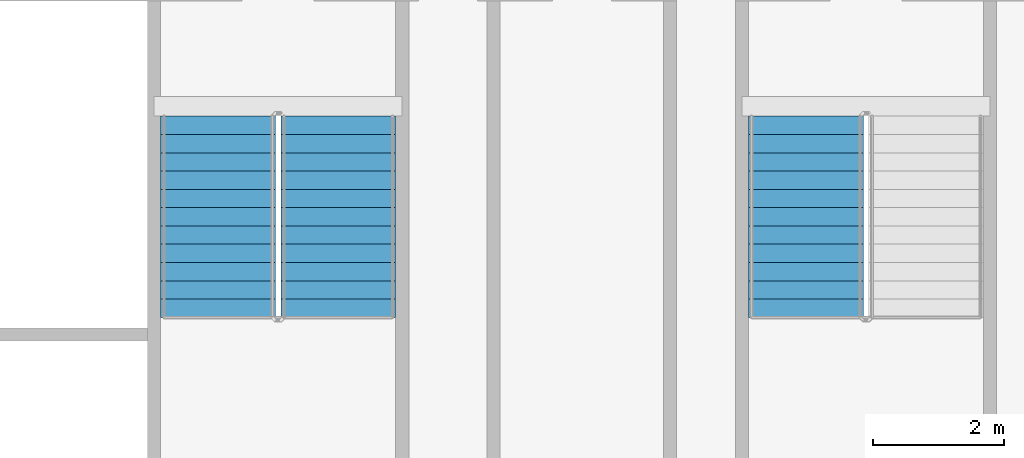
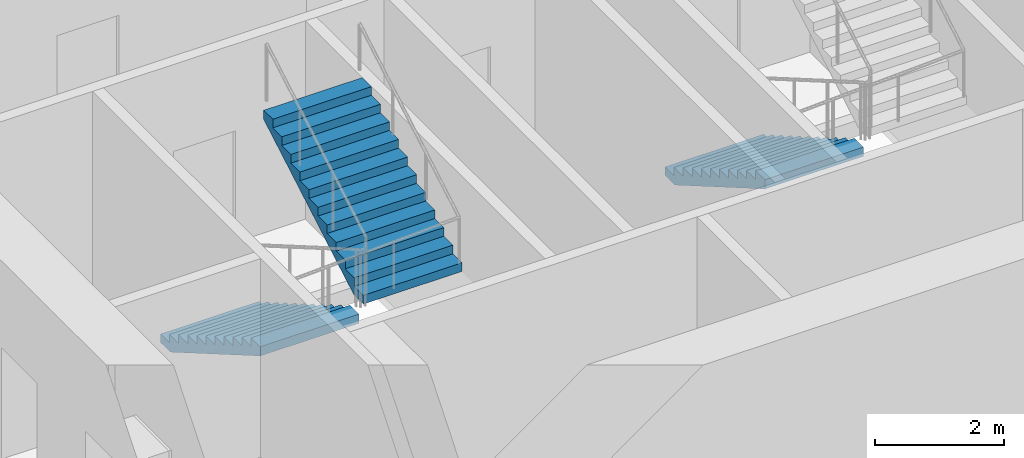
# One storey, part 14 of 21: 3 stair flights, 2 elements without a shape of their own.
"""IFC4 building model written with IfcOpenShell, lengths in metres."""

from ifc_helpers import new_model, si_unit, direction, frame, origin, place, context, subcontext, project, spatial, faceted_brep, material, type_object, element, aggregate, save


model = new_model("IFC4")

# Units and contexts
model_context = context("Model", 3, precision=1e-05, world=origin(), true_north=direction((0.0, 1.0)))
body_context = subcontext(model_context, "Body", "Model", "MODEL_VIEW")
ifc_project = project(units=[si_unit("LENGTHUNIT", "METRE"), si_unit("AREAUNIT", "SQUARE_METRE"), si_unit("VOLUMEUNIT", "CUBIC_METRE"), si_unit("PLANEANGLEUNIT", "RADIAN"), si_unit("MASSUNIT", "GRAM", prefix="KILO")], contexts=[model_context])

# Site, building, storey
site_placement = place(None, origin())
site = spatial("IfcSite", under=ifc_project, at=site_placement, CompositionType="ELEMENT")
building_placement = place(site_placement, origin())
building = spatial("IfcBuilding", under=site, at=building_placement, Name="Tarsis Ring Headquarters", CompositionType="ELEMENT")
storey_placement = place(building_placement, frame((0.0, 0.0, 47.800048828125)))
storey = spatial("IfcBuildingStorey", under=building, at=storey_placement, Name="L09", CompositionType="ELEMENT", Elevation=47.800048828125)

# Stair, stair flights
ifc_material_1 = material(Name="Core stair 1760")
stair_type = type_object("IfcStairType", Name="Core stair 1760", PredefinedType="HALF_TURN_STAIR", material=ifc_material_1)
stair_1_placement = place(storey_placement, origin())
stair_1 = element("IfcStair", 1, at=stair_1_placement, inside=storey, type_object=stair_type, Name="L09 Exit stair C", PredefinedType="HALF_TURN_STAIR")
ifc_material_2 = material(Name="Concrete C40/50", Category="concrete")
stair_flight_type = type_object("IfcStairFlightType", Name="Core stair flight 1760", PredefinedType="STRAIGHT", material=ifc_material_2)
stair_flight_1_placement = place(storey_placement, frame((-5.419921875, -3.659912109375, 0.0), z_axis=(0.0, 0.0, 1.0), x_axis=(0.0, -1.0, 0.0)))
stair_flight_1 = element("IfcStairFlight", 2, at=stair_flight_1_placement, type_object=stair_flight_type, Name="Stair ST3 flight 1", NumberOfRisers=12, NumberOfTreads=11, PredefinedType="STRAIGHT", RiserHeight=0.1625, TreadLength=0.28, context=body_context, shape_type="Brep", body=[
    faceted_brep([(0.0, 0.8798828125, 0.0), (0.0, 0.8798828125, 0.16259765625), (0.280029296875, 0.8798828125, 0.16259765625), (0.280029296875, 0.8798828125, 0.324951171875), (0.56005859375, 0.8798828125, 0.324951171875), (0.56005859375, 0.8798828125, 0.487548828125), (0.840087890625, 0.8798828125, 0.487548828125), (0.840087890625, 0.8798828125, 0.64990234375), (1.1201171875, 0.8798828125, 0.64990234375), (1.1201171875, 0.8798828125, 0.8125), (1.39990234375, 0.8798828125, 0.8125), (1.39990234375, 0.8798828125, 0.97509765625), (1.679931640625, 0.8798828125, 0.97509765625), (1.679931640625, 0.8798828125, 1.137451171875), (1.9599609375, 0.8798828125, 1.137451171875), (1.9599609375, 0.8798828125, 1.300048828125), (2.239990234375, 0.8798828125, 1.300048828125), (2.239990234375, 0.8798828125, 1.46240234375), (2.52001953125, 0.8798828125, 1.46240234375), (2.52001953125, 0.8798828125, 1.625), (2.800048828125, 0.8798828125, 1.625), (2.800048828125, 0.8798828125, 1.78759765625), (3.080078125, 0.8798828125, 1.78759765625), (3.080078125, 0.8798828125, 1.6142578125), (0.298583984375, 0.8798828125, 0.0), (0.298583984375, -0.8798828125, 0.0), (3.080078125, -0.8798828125, 1.6142578125), (3.080078125, -0.8798828125, 1.78759765625), (2.800048828125, -0.8798828125, 1.78759765625), (2.800048828125, -0.8798828125, 1.625), (2.52001953125, -0.8798828125, 1.625), (2.52001953125, -0.8798828125, 1.46240234375), (2.239990234375, -0.8798828125, 1.46240234375), (2.239990234375, -0.8798828125, 1.300048828125), (1.9599609375, -0.8798828125, 1.300048828125), (1.9599609375, -0.8798828125, 1.137451171875), (1.679931640625, -0.8798828125, 1.137451171875), (1.679931640625, -0.8798828125, 0.97509765625), (1.39990234375, -0.8798828125, 0.97509765625), (1.39990234375, -0.8798828125, 0.8125), (1.1201171875, -0.8798828125, 0.8125), (1.1201171875, -0.8798828125, 0.64990234375), (0.840087890625, -0.8798828125, 0.64990234375), (0.840087890625, -0.8798828125, 0.487548828125), (0.56005859375, -0.8798828125, 0.487548828125), (0.56005859375, -0.8798828125, 0.324951171875), (0.280029296875, -0.8798828125, 0.324951171875), (0.280029296875, -0.8798828125, 0.16259765625), (0.0, -0.8798828125, 0.16259765625), (0.0, -0.8798828125, 0.0), (0.0, -0.43994140625, 0.16259765625), (0.0, -0.43994140625, 0.0), (0.0, 0.0, 0.16259765625), (0.0, 0.0, 0.0), (0.0, 0.43994140625, 0.16259765625), (0.0, 0.43994140625, 0.0), (0.280029296875, -0.43994140625, 0.16259765625), (0.280029296875, 0.0, 0.16259765625), (0.280029296875, 0.43994140625, 0.16259765625), (0.280029296875, -0.43994140625, 0.324951171875), (0.280029296875, 0.0, 0.324951171875), (0.280029296875, 0.43994140625, 0.324951171875), (0.56005859375, -0.43994140625, 0.324951171875), (0.56005859375, 0.0, 0.324951171875), (0.56005859375, 0.43994140625, 0.324951171875), (0.56005859375, -0.43994140625, 0.487548828125), (0.56005859375, 0.0, 0.487548828125), (0.56005859375, 0.43994140625, 0.487548828125), (0.840087890625, -0.43994140625, 0.487548828125), (0.840087890625, 0.0, 0.487548828125), (0.840087890625, 0.43994140625, 0.487548828125), (0.840087890625, -0.43994140625, 0.64990234375), (0.840087890625, 0.0, 0.64990234375), (0.840087890625, 0.43994140625, 0.64990234375), (1.1201171875, -0.43994140625, 0.64990234375), (1.1201171875, 0.0, 0.64990234375), (1.1201171875, 0.43994140625, 0.64990234375), (1.1201171875, -0.43994140625, 0.8125), (1.1201171875, 0.0, 0.8125), (1.1201171875, 0.43994140625, 0.8125), (1.39990234375, -0.43994140625, 0.8125), (1.39990234375, 0.0, 0.8125), (1.39990234375, 0.43994140625, 0.8125), (1.39990234375, -0.43994140625, 0.97509765625), (1.39990234375, 0.0, 0.97509765625), (1.39990234375, 0.43994140625, 0.97509765625), (1.679931640625, -0.43994140625, 0.97509765625), (1.679931640625, 0.0, 0.97509765625), (1.679931640625, 0.43994140625, 0.97509765625), (1.679931640625, -0.43994140625, 1.137451171875), (1.679931640625, 0.0, 1.137451171875), (1.679931640625, 0.43994140625, 1.137451171875), (1.9599609375, -0.43994140625, 1.137451171875), (1.9599609375, 0.0, 1.137451171875), (1.9599609375, 0.43994140625, 1.137451171875), (1.9599609375, -0.43994140625, 1.300048828125), (1.9599609375, 0.0, 1.300048828125), (1.9599609375, 0.43994140625, 1.300048828125), (2.239990234375, -0.43994140625, 1.300048828125), (2.239990234375, 0.0, 1.300048828125), (2.239990234375, 0.43994140625, 1.300048828125), (2.239990234375, -0.43994140625, 1.46240234375), (2.239990234375, 0.0, 1.46240234375), (2.239990234375, 0.43994140625, 1.46240234375), (2.52001953125, -0.43994140625, 1.46240234375), (2.52001953125, 0.0, 1.46240234375), (2.52001953125, 0.43994140625, 1.46240234375), (2.52001953125, -0.43994140625, 1.625), (2.52001953125, 0.0, 1.625), (2.52001953125, 0.43994140625, 1.625), (2.800048828125, -0.43994140625, 1.625), (2.800048828125, 0.0, 1.625), (2.800048828125, 0.43994140625, 1.625), (2.800048828125, -0.43994140625, 1.78759765625), (2.800048828125, 0.0, 1.78759765625), (2.800048828125, 0.43994140625, 1.78759765625), (3.080078125, -0.43994140625, 1.78759765625), (3.080078125, 0.0, 1.78759765625), (3.080078125, 0.43994140625, 1.78759765625), (3.080078125, -0.43994140625, 1.6142578125), (3.080078125, 0.0, 1.6142578125), (3.080078125, 0.43994140625, 1.6142578125), (0.298583984375, -0.43994140625, 0.0), (0.298583984375, 0.0, 0.0), (0.298583984375, 0.43994140625, 0.0)], [[[0, 1, 2, 3, 4, 5, 6, 7, 8, 9, 10, 11, 12, 13, 14, 15, 16, 17, 18, 19, 20, 21, 22, 23, 24]], [[25, 26, 27, 28, 29, 30, 31, 32, 33, 34, 35, 36, 37, 38, 39, 40, 41, 42, 43, 44, 45, 46, 47, 48, 49]], [[49, 48, 50, 51]], [[51, 50, 52, 53]], [[53, 52, 54, 55]], [[55, 54, 1, 0]], [[48, 47, 56, 50]], [[50, 56, 57, 52]], [[52, 57, 58, 54]], [[54, 58, 2, 1]], [[47, 46, 59, 56]], [[56, 59, 60, 57]], [[57, 60, 61, 58]], [[58, 61, 3, 2]], [[46, 45, 62, 59]], [[59, 62, 63, 60]], [[60, 63, 64, 61]], [[61, 64, 4, 3]], [[45, 44, 65, 62]], [[62, 65, 66, 63]], [[63, 66, 67, 64]], [[64, 67, 5, 4]], [[44, 43, 68, 65]], [[65, 68, 69, 66]], [[66, 69, 70, 67]], [[67, 70, 6, 5]], [[43, 42, 71, 68]], [[68, 71, 72, 69]], [[69, 72, 73, 70]], [[70, 73, 7, 6]], [[42, 41, 74, 71]], [[71, 74, 75, 72]], [[72, 75, 76, 73]], [[73, 76, 8, 7]], [[41, 40, 77, 74]], [[74, 77, 78, 75]], [[75, 78, 79, 76]], [[76, 79, 9, 8]], [[40, 39, 80, 77]], [[77, 80, 81, 78]], [[78, 81, 82, 79]], [[79, 82, 10, 9]], [[39, 38, 83, 80]], [[80, 83, 84, 81]], [[81, 84, 85, 82]], [[82, 85, 11, 10]], [[38, 37, 86, 83]], [[83, 86, 87, 84]], [[84, 87, 88, 85]], [[85, 88, 12, 11]], [[37, 36, 89, 86]], [[86, 89, 90, 87]], [[87, 90, 91, 88]], [[88, 91, 13, 12]], [[36, 35, 92, 89]], [[89, 92, 93, 90]], [[90, 93, 94, 91]], [[91, 94, 14, 13]], [[35, 34, 95, 92]], [[92, 95, 96, 93]], [[93, 96, 97, 94]], [[94, 97, 15, 14]], [[34, 33, 98, 95]], [[95, 98, 99, 96]], [[96, 99, 100, 97]], [[97, 100, 16, 15]], [[33, 32, 101, 98]], [[98, 101, 102, 99]], [[99, 102, 103, 100]], [[100, 103, 17, 16]], [[32, 31, 104, 101]], [[101, 104, 105, 102]], [[102, 105, 106, 103]], [[103, 106, 18, 17]], [[31, 30, 107, 104]], [[104, 107, 108, 105]], [[105, 108, 109, 106]], [[106, 109, 19, 18]], [[30, 29, 110, 107]], [[107, 110, 111, 108]], [[108, 111, 112, 109]], [[109, 112, 20, 19]], [[29, 28, 113, 110]], [[110, 113, 114, 111]], [[111, 114, 115, 112]], [[112, 115, 21, 20]], [[28, 27, 116, 113]], [[113, 116, 117, 114]], [[114, 117, 118, 115]], [[115, 118, 22, 21]], [[27, 26, 119, 116]], [[116, 119, 120, 117]], [[117, 120, 121, 118]], [[118, 121, 23, 22]], [[26, 25, 122, 119]], [[119, 122, 123, 120]], [[120, 123, 124, 121]], [[121, 124, 24, 23]], [[25, 49, 51, 122]], [[122, 51, 53, 123]], [[123, 53, 55, 124]], [[124, 55, 0, 24]]]),
])
stair_flight_2_placement = place(storey_placement, frame((-3.580078125, -6.739990234375, 1.949951171875), z_axis=(0.0, 0.0, 1.0), x_axis=(0.0, 1.0, 0.0)))
stair_flight_2 = element("IfcStairFlight", 3, at=stair_flight_2_placement, type_object=stair_flight_type, Name="Stair ST3 flight 2", NumberOfRisers=12, NumberOfTreads=11, PredefinedType="STRAIGHT", RiserHeight=0.1625, TreadLength=0.28, context=body_context, shape_type="Brep", body=[
    faceted_brep([(0.0, 0.8798828125, 0.0), (0.0, 0.8798828125, 0.16259765625), (0.280029296875, 0.8798828125, 0.16259765625), (0.280029296875, 0.8798828125, 0.324951171875), (0.56005859375, 0.8798828125, 0.324951171875), (0.56005859375, 0.8798828125, 0.487548828125), (0.840087890625, 0.8798828125, 0.487548828125), (0.840087890625, 0.8798828125, 0.64990234375), (1.1201171875, 0.8798828125, 0.64990234375), (1.1201171875, 0.8798828125, 0.8125), (1.39990234375, 0.8798828125, 0.8125), (1.39990234375, 0.8798828125, 0.97509765625), (1.679931640625, 0.8798828125, 0.97509765625), (1.679931640625, 0.8798828125, 1.137451171875), (1.9599609375, 0.8798828125, 1.137451171875), (1.9599609375, 0.8798828125, 1.300048828125), (2.239990234375, 0.8798828125, 1.300048828125), (2.239990234375, 0.8798828125, 1.46240234375), (2.52001953125, 0.8798828125, 1.46240234375), (2.52001953125, 0.8798828125, 1.625), (2.800048828125, 0.8798828125, 1.625), (2.800048828125, 0.8798828125, 1.78759765625), (3.080078125, 0.8798828125, 1.78759765625), (3.080078125, 0.8798828125, 1.6142578125), (0.298583984375, 0.8798828125, 0.0), (0.298583984375, -0.8798828125, 0.0), (3.080078125, -0.8798828125, 1.6142578125), (3.080078125, -0.8798828125, 1.78759765625), (2.800048828125, -0.8798828125, 1.78759765625), (2.800048828125, -0.8798828125, 1.625), (2.52001953125, -0.8798828125, 1.625), (2.52001953125, -0.8798828125, 1.46240234375), (2.239990234375, -0.8798828125, 1.46240234375), (2.239990234375, -0.8798828125, 1.300048828125), (1.9599609375, -0.8798828125, 1.300048828125), (1.9599609375, -0.8798828125, 1.137451171875), (1.679931640625, -0.8798828125, 1.137451171875), (1.679931640625, -0.8798828125, 0.97509765625), (1.39990234375, -0.8798828125, 0.97509765625), (1.39990234375, -0.8798828125, 0.8125), (1.1201171875, -0.8798828125, 0.8125), (1.1201171875, -0.8798828125, 0.64990234375), (0.840087890625, -0.8798828125, 0.64990234375), (0.840087890625, -0.8798828125, 0.487548828125), (0.56005859375, -0.8798828125, 0.487548828125), (0.56005859375, -0.8798828125, 0.324951171875), (0.280029296875, -0.8798828125, 0.324951171875), (0.280029296875, -0.8798828125, 0.16259765625), (0.0, -0.8798828125, 0.16259765625), (0.0, -0.8798828125, 0.0), (0.0, -0.43994140625, 0.16259765625), (0.0, -0.43994140625, 0.0), (0.0, 0.0, 0.16259765625), (0.0, 0.0, 0.0), (0.0, 0.43994140625, 0.16259765625), (0.0, 0.43994140625, 0.0), (0.280029296875, -0.43994140625, 0.16259765625), (0.280029296875, 0.0, 0.16259765625), (0.280029296875, 0.43994140625, 0.16259765625), (0.280029296875, -0.43994140625, 0.324951171875), (0.280029296875, 0.0, 0.324951171875), (0.280029296875, 0.43994140625, 0.324951171875), (0.56005859375, -0.43994140625, 0.324951171875), (0.56005859375, 0.0, 0.324951171875), (0.56005859375, 0.43994140625, 0.324951171875), (0.56005859375, -0.43994140625, 0.487548828125), (0.56005859375, 0.0, 0.487548828125), (0.56005859375, 0.43994140625, 0.487548828125), (0.840087890625, -0.43994140625, 0.487548828125), (0.840087890625, 0.0, 0.487548828125), (0.840087890625, 0.43994140625, 0.487548828125), (0.840087890625, -0.43994140625, 0.64990234375), (0.840087890625, 0.0, 0.64990234375), (0.840087890625, 0.43994140625, 0.64990234375), (1.1201171875, -0.43994140625, 0.64990234375), (1.1201171875, 0.0, 0.64990234375), (1.1201171875, 0.43994140625, 0.64990234375), (1.1201171875, -0.43994140625, 0.8125), (1.1201171875, 0.0, 0.8125), (1.1201171875, 0.43994140625, 0.8125), (1.39990234375, -0.43994140625, 0.8125), (1.39990234375, 0.0, 0.8125), (1.39990234375, 0.43994140625, 0.8125), (1.39990234375, -0.43994140625, 0.97509765625), (1.39990234375, 0.0, 0.97509765625), (1.39990234375, 0.43994140625, 0.97509765625), (1.679931640625, -0.43994140625, 0.97509765625), (1.679931640625, 0.0, 0.97509765625), (1.679931640625, 0.43994140625, 0.97509765625), (1.679931640625, -0.43994140625, 1.137451171875), (1.679931640625, 0.0, 1.137451171875), (1.679931640625, 0.43994140625, 1.137451171875), (1.9599609375, -0.43994140625, 1.137451171875), (1.9599609375, 0.0, 1.137451171875), (1.9599609375, 0.43994140625, 1.137451171875), (1.9599609375, -0.43994140625, 1.300048828125), (1.9599609375, 0.0, 1.300048828125), (1.9599609375, 0.43994140625, 1.300048828125), (2.239990234375, -0.43994140625, 1.300048828125), (2.239990234375, 0.0, 1.300048828125), (2.239990234375, 0.43994140625, 1.300048828125), (2.239990234375, -0.43994140625, 1.46240234375), (2.239990234375, 0.0, 1.46240234375), (2.239990234375, 0.43994140625, 1.46240234375), (2.52001953125, -0.43994140625, 1.46240234375), (2.52001953125, 0.0, 1.46240234375), (2.52001953125, 0.43994140625, 1.46240234375), (2.52001953125, -0.43994140625, 1.625), (2.52001953125, 0.0, 1.625), (2.52001953125, 0.43994140625, 1.625), (2.800048828125, -0.43994140625, 1.625), (2.800048828125, 0.0, 1.625), (2.800048828125, 0.43994140625, 1.625), (2.800048828125, -0.43994140625, 1.78759765625), (2.800048828125, 0.0, 1.78759765625), (2.800048828125, 0.43994140625, 1.78759765625), (3.080078125, -0.43994140625, 1.78759765625), (3.080078125, 0.0, 1.78759765625), (3.080078125, 0.43994140625, 1.78759765625), (3.080078125, -0.43994140625, 1.6142578125), (3.080078125, 0.0, 1.6142578125), (3.080078125, 0.43994140625, 1.6142578125), (0.298583984375, -0.43994140625, 0.0), (0.298583984375, 0.0, 0.0), (0.298583984375, 0.43994140625, 0.0)], [[[0, 1, 2, 3, 4, 5, 6, 7, 8, 9, 10, 11, 12, 13, 14, 15, 16, 17, 18, 19, 20, 21, 22, 23, 24]], [[25, 26, 27, 28, 29, 30, 31, 32, 33, 34, 35, 36, 37, 38, 39, 40, 41, 42, 43, 44, 45, 46, 47, 48, 49]], [[49, 48, 50, 51]], [[51, 50, 52, 53]], [[53, 52, 54, 55]], [[55, 54, 1, 0]], [[48, 47, 56, 50]], [[50, 56, 57, 52]], [[52, 57, 58, 54]], [[54, 58, 2, 1]], [[47, 46, 59, 56]], [[56, 59, 60, 57]], [[57, 60, 61, 58]], [[58, 61, 3, 2]], [[46, 45, 62, 59]], [[59, 62, 63, 60]], [[60, 63, 64, 61]], [[61, 64, 4, 3]], [[45, 44, 65, 62]], [[62, 65, 66, 63]], [[63, 66, 67, 64]], [[64, 67, 5, 4]], [[44, 43, 68, 65]], [[65, 68, 69, 66]], [[66, 69, 70, 67]], [[67, 70, 6, 5]], [[43, 42, 71, 68]], [[68, 71, 72, 69]], [[69, 72, 73, 70]], [[70, 73, 7, 6]], [[42, 41, 74, 71]], [[71, 74, 75, 72]], [[72, 75, 76, 73]], [[73, 76, 8, 7]], [[41, 40, 77, 74]], [[74, 77, 78, 75]], [[75, 78, 79, 76]], [[76, 79, 9, 8]], [[40, 39, 80, 77]], [[77, 80, 81, 78]], [[78, 81, 82, 79]], [[79, 82, 10, 9]], [[39, 38, 83, 80]], [[80, 83, 84, 81]], [[81, 84, 85, 82]], [[82, 85, 11, 10]], [[38, 37, 86, 83]], [[83, 86, 87, 84]], [[84, 87, 88, 85]], [[85, 88, 12, 11]], [[37, 36, 89, 86]], [[86, 89, 90, 87]], [[87, 90, 91, 88]], [[88, 91, 13, 12]], [[36, 35, 92, 89]], [[89, 92, 93, 90]], [[90, 93, 94, 91]], [[91, 94, 14, 13]], [[35, 34, 95, 92]], [[92, 95, 96, 93]], [[93, 96, 97, 94]], [[94, 97, 15, 14]], [[34, 33, 98, 95]], [[95, 98, 99, 96]], [[96, 99, 100, 97]], [[97, 100, 16, 15]], [[33, 32, 101, 98]], [[98, 101, 102, 99]], [[99, 102, 103, 100]], [[100, 103, 17, 16]], [[32, 31, 104, 101]], [[101, 104, 105, 102]], [[102, 105, 106, 103]], [[103, 106, 18, 17]], [[31, 30, 107, 104]], [[104, 107, 108, 105]], [[105, 108, 109, 106]], [[106, 109, 19, 18]], [[30, 29, 110, 107]], [[107, 110, 111, 108]], [[108, 111, 112, 109]], [[109, 112, 20, 19]], [[29, 28, 113, 110]], [[110, 113, 114, 111]], [[111, 114, 115, 112]], [[112, 115, 21, 20]], [[28, 27, 116, 113]], [[113, 116, 117, 114]], [[114, 117, 118, 115]], [[115, 118, 22, 21]], [[27, 26, 119, 116]], [[116, 119, 120, 117]], [[117, 120, 121, 118]], [[118, 121, 23, 22]], [[26, 25, 122, 119]], [[119, 122, 123, 120]], [[120, 123, 124, 121]], [[121, 124, 24, 23]], [[25, 49, 51, 122]], [[122, 51, 53, 123]], [[123, 53, 55, 124]], [[124, 55, 0, 24]]]),
])
aggregate(stair_1, [stair_flight_1, stair_flight_2])

# Stair, stair flight
stair_2_placement = place(storey_placement, origin())
stair_2 = element("IfcStair", 4, at=stair_2_placement, inside=storey, type_object=stair_type, Name="L09 Exit stair D", PredefinedType="HALF_TURN_STAIR")
stair_flight_3_placement = place(storey_placement, frame((3.580078125, -3.659912109375, 0.0), z_axis=(0.0, 0.0, 1.0), x_axis=(0.0, -1.0, 0.0)))
stair_flight_3 = element("IfcStairFlight", 5, at=stair_flight_3_placement, type_object=stair_flight_type, Name="Stair ST4 flight 1", NumberOfRisers=12, NumberOfTreads=11, PredefinedType="STRAIGHT", RiserHeight=0.1625, TreadLength=0.28, context=body_context, shape_type="Brep", body=[
    faceted_brep([(0.0, 0.8798828125, 0.0), (0.0, 0.8798828125, 0.16259765625), (0.280029296875, 0.8798828125, 0.16259765625), (0.280029296875, 0.8798828125, 0.324951171875), (0.56005859375, 0.8798828125, 0.324951171875), (0.56005859375, 0.8798828125, 0.487548828125), (0.840087890625, 0.8798828125, 0.487548828125), (0.840087890625, 0.8798828125, 0.64990234375), (1.1201171875, 0.8798828125, 0.64990234375), (1.1201171875, 0.8798828125, 0.8125), (1.39990234375, 0.8798828125, 0.8125), (1.39990234375, 0.8798828125, 0.97509765625), (1.679931640625, 0.8798828125, 0.97509765625), (1.679931640625, 0.8798828125, 1.137451171875), (1.9599609375, 0.8798828125, 1.137451171875), (1.9599609375, 0.8798828125, 1.300048828125), (2.239990234375, 0.8798828125, 1.300048828125), (2.239990234375, 0.8798828125, 1.46240234375), (2.52001953125, 0.8798828125, 1.46240234375), (2.52001953125, 0.8798828125, 1.625), (2.800048828125, 0.8798828125, 1.625), (2.800048828125, 0.8798828125, 1.78759765625), (3.080078125, 0.8798828125, 1.78759765625), (3.080078125, 0.8798828125, 1.6142578125), (0.298583984375, 0.8798828125, 0.0), (0.298583984375, -0.8798828125, 0.0), (3.080078125, -0.8798828125, 1.6142578125), (3.080078125, -0.8798828125, 1.78759765625), (2.800048828125, -0.8798828125, 1.78759765625), (2.800048828125, -0.8798828125, 1.625), (2.52001953125, -0.8798828125, 1.625), (2.52001953125, -0.8798828125, 1.46240234375), (2.239990234375, -0.8798828125, 1.46240234375), (2.239990234375, -0.8798828125, 1.300048828125), (1.9599609375, -0.8798828125, 1.300048828125), (1.9599609375, -0.8798828125, 1.137451171875), (1.679931640625, -0.8798828125, 1.137451171875), (1.679931640625, -0.8798828125, 0.97509765625), (1.39990234375, -0.8798828125, 0.97509765625), (1.39990234375, -0.8798828125, 0.8125), (1.1201171875, -0.8798828125, 0.8125), (1.1201171875, -0.8798828125, 0.64990234375), (0.840087890625, -0.8798828125, 0.64990234375), (0.840087890625, -0.8798828125, 0.487548828125), (0.56005859375, -0.8798828125, 0.487548828125), (0.56005859375, -0.8798828125, 0.324951171875), (0.280029296875, -0.8798828125, 0.324951171875), (0.280029296875, -0.8798828125, 0.16259765625), (0.0, -0.8798828125, 0.16259765625), (0.0, -0.8798828125, 0.0), (0.0, -0.43994140625, 0.16259765625), (0.0, -0.43994140625, 0.0), (0.0, 0.0, 0.16259765625), (0.0, 0.0, 0.0), (0.0, 0.43994140625, 0.16259765625), (0.0, 0.43994140625, 0.0), (0.280029296875, -0.43994140625, 0.16259765625), (0.280029296875, 0.0, 0.16259765625), (0.280029296875, 0.43994140625, 0.16259765625), (0.280029296875, -0.43994140625, 0.324951171875), (0.280029296875, 0.0, 0.324951171875), (0.280029296875, 0.43994140625, 0.324951171875), (0.56005859375, -0.43994140625, 0.324951171875), (0.56005859375, 0.0, 0.324951171875), (0.56005859375, 0.43994140625, 0.324951171875), (0.56005859375, -0.43994140625, 0.487548828125), (0.56005859375, 0.0, 0.487548828125), (0.56005859375, 0.43994140625, 0.487548828125), (0.840087890625, -0.43994140625, 0.487548828125), (0.840087890625, 0.0, 0.487548828125), (0.840087890625, 0.43994140625, 0.487548828125), (0.840087890625, -0.43994140625, 0.64990234375), (0.840087890625, 0.0, 0.64990234375), (0.840087890625, 0.43994140625, 0.64990234375), (1.1201171875, -0.43994140625, 0.64990234375), (1.1201171875, 0.0, 0.64990234375), (1.1201171875, 0.43994140625, 0.64990234375), (1.1201171875, -0.43994140625, 0.8125), (1.1201171875, 0.0, 0.8125), (1.1201171875, 0.43994140625, 0.8125), (1.39990234375, -0.43994140625, 0.8125), (1.39990234375, 0.0, 0.8125), (1.39990234375, 0.43994140625, 0.8125), (1.39990234375, -0.43994140625, 0.97509765625), (1.39990234375, 0.0, 0.97509765625), (1.39990234375, 0.43994140625, 0.97509765625), (1.679931640625, -0.43994140625, 0.97509765625), (1.679931640625, 0.0, 0.97509765625), (1.679931640625, 0.43994140625, 0.97509765625), (1.679931640625, -0.43994140625, 1.137451171875), (1.679931640625, 0.0, 1.137451171875), (1.679931640625, 0.43994140625, 1.137451171875), (1.9599609375, -0.43994140625, 1.137451171875), (1.9599609375, 0.0, 1.137451171875), (1.9599609375, 0.43994140625, 1.137451171875), (1.9599609375, -0.43994140625, 1.300048828125), (1.9599609375, 0.0, 1.300048828125), (1.9599609375, 0.43994140625, 1.300048828125), (2.239990234375, -0.43994140625, 1.300048828125), (2.239990234375, 0.0, 1.300048828125), (2.239990234375, 0.43994140625, 1.300048828125), (2.239990234375, -0.43994140625, 1.46240234375), (2.239990234375, 0.0, 1.46240234375), (2.239990234375, 0.43994140625, 1.46240234375), (2.52001953125, -0.43994140625, 1.46240234375), (2.52001953125, 0.0, 1.46240234375), (2.52001953125, 0.43994140625, 1.46240234375), (2.52001953125, -0.43994140625, 1.625), (2.52001953125, 0.0, 1.625), (2.52001953125, 0.43994140625, 1.625), (2.800048828125, -0.43994140625, 1.625), (2.800048828125, 0.0, 1.625), (2.800048828125, 0.43994140625, 1.625), (2.800048828125, -0.43994140625, 1.78759765625), (2.800048828125, 0.0, 1.78759765625), (2.800048828125, 0.43994140625, 1.78759765625), (3.080078125, -0.43994140625, 1.78759765625), (3.080078125, 0.0, 1.78759765625), (3.080078125, 0.43994140625, 1.78759765625), (3.080078125, -0.43994140625, 1.6142578125), (3.080078125, 0.0, 1.6142578125), (3.080078125, 0.43994140625, 1.6142578125), (0.298583984375, -0.43994140625, 0.0), (0.298583984375, 0.0, 0.0), (0.298583984375, 0.43994140625, 0.0)], [[[0, 1, 2, 3, 4, 5, 6, 7, 8, 9, 10, 11, 12, 13, 14, 15, 16, 17, 18, 19, 20, 21, 22, 23, 24]], [[25, 26, 27, 28, 29, 30, 31, 32, 33, 34, 35, 36, 37, 38, 39, 40, 41, 42, 43, 44, 45, 46, 47, 48, 49]], [[49, 48, 50, 51]], [[51, 50, 52, 53]], [[53, 52, 54, 55]], [[55, 54, 1, 0]], [[48, 47, 56, 50]], [[50, 56, 57, 52]], [[52, 57, 58, 54]], [[54, 58, 2, 1]], [[47, 46, 59, 56]], [[56, 59, 60, 57]], [[57, 60, 61, 58]], [[58, 61, 3, 2]], [[46, 45, 62, 59]], [[59, 62, 63, 60]], [[60, 63, 64, 61]], [[61, 64, 4, 3]], [[45, 44, 65, 62]], [[62, 65, 66, 63]], [[63, 66, 67, 64]], [[64, 67, 5, 4]], [[44, 43, 68, 65]], [[65, 68, 69, 66]], [[66, 69, 70, 67]], [[67, 70, 6, 5]], [[43, 42, 71, 68]], [[68, 71, 72, 69]], [[69, 72, 73, 70]], [[70, 73, 7, 6]], [[42, 41, 74, 71]], [[71, 74, 75, 72]], [[72, 75, 76, 73]], [[73, 76, 8, 7]], [[41, 40, 77, 74]], [[74, 77, 78, 75]], [[75, 78, 79, 76]], [[76, 79, 9, 8]], [[40, 39, 80, 77]], [[77, 80, 81, 78]], [[78, 81, 82, 79]], [[79, 82, 10, 9]], [[39, 38, 83, 80]], [[80, 83, 84, 81]], [[81, 84, 85, 82]], [[82, 85, 11, 10]], [[38, 37, 86, 83]], [[83, 86, 87, 84]], [[84, 87, 88, 85]], [[85, 88, 12, 11]], [[37, 36, 89, 86]], [[86, 89, 90, 87]], [[87, 90, 91, 88]], [[88, 91, 13, 12]], [[36, 35, 92, 89]], [[89, 92, 93, 90]], [[90, 93, 94, 91]], [[91, 94, 14, 13]], [[35, 34, 95, 92]], [[92, 95, 96, 93]], [[93, 96, 97, 94]], [[94, 97, 15, 14]], [[34, 33, 98, 95]], [[95, 98, 99, 96]], [[96, 99, 100, 97]], [[97, 100, 16, 15]], [[33, 32, 101, 98]], [[98, 101, 102, 99]], [[99, 102, 103, 100]], [[100, 103, 17, 16]], [[32, 31, 104, 101]], [[101, 104, 105, 102]], [[102, 105, 106, 103]], [[103, 106, 18, 17]], [[31, 30, 107, 104]], [[104, 107, 108, 105]], [[105, 108, 109, 106]], [[106, 109, 19, 18]], [[30, 29, 110, 107]], [[107, 110, 111, 108]], [[108, 111, 112, 109]], [[109, 112, 20, 19]], [[29, 28, 113, 110]], [[110, 113, 114, 111]], [[111, 114, 115, 112]], [[112, 115, 21, 20]], [[28, 27, 116, 113]], [[113, 116, 117, 114]], [[114, 117, 118, 115]], [[115, 118, 22, 21]], [[27, 26, 119, 116]], [[116, 119, 120, 117]], [[117, 120, 121, 118]], [[118, 121, 23, 22]], [[26, 25, 122, 119]], [[119, 122, 123, 120]], [[120, 123, 124, 121]], [[121, 124, 24, 23]], [[25, 49, 51, 122]], [[122, 51, 53, 123]], [[123, 53, 55, 124]], [[124, 55, 0, 24]]]),
])
aggregate(stair_2, [stair_flight_3])

save(model, "model.ifc")
